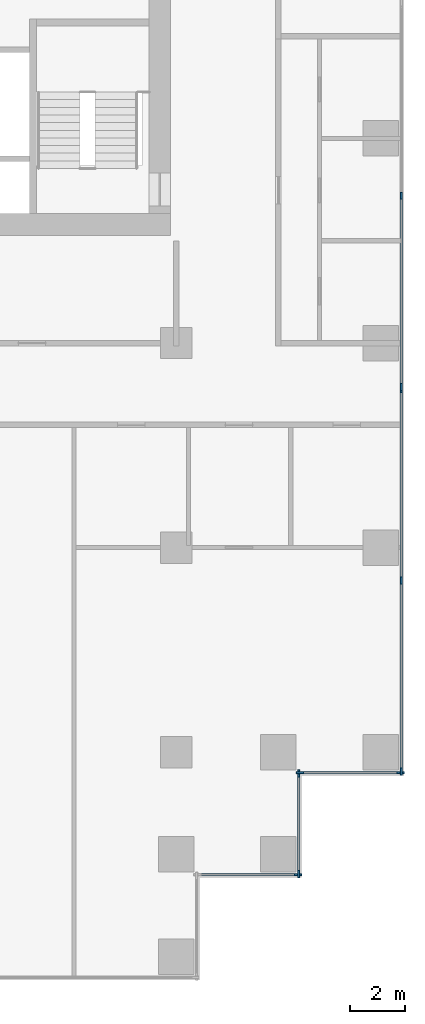
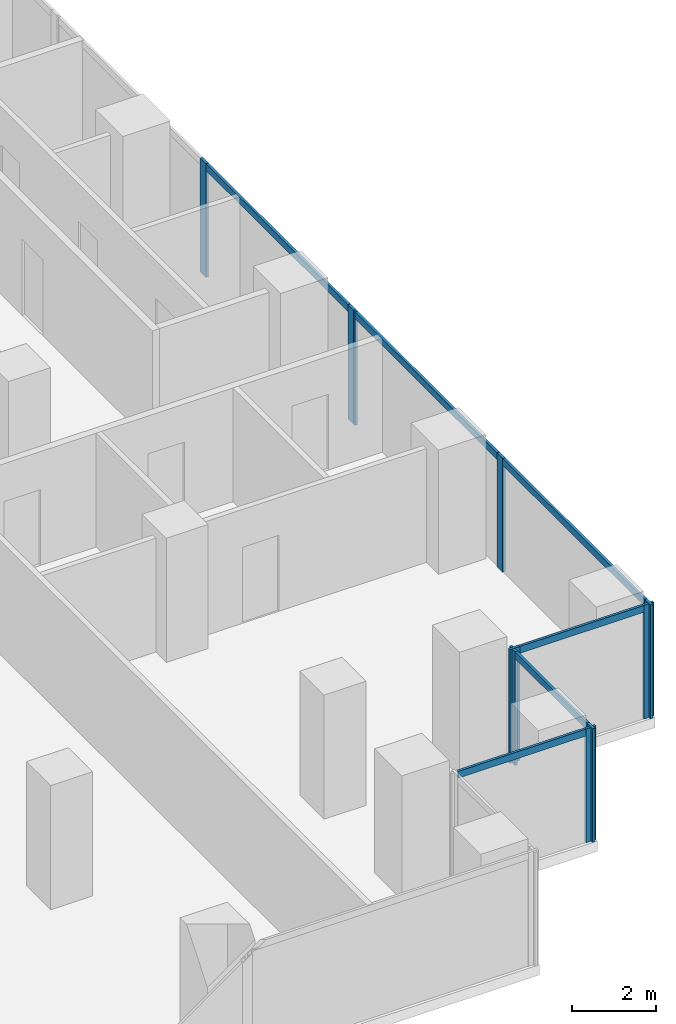
# One storey, part 3 of 10: 16 members, 5 elements without a shape of their own.
"""IFC4 building model written with IfcOpenShell, lengths in metres."""

from ifc_helpers import new_model, si_unit, direction, frame, origin, origin_2d, place, context, subcontext, project, spatial, rectangle, extrude, material, material_profile, profile_set, type_object, element, aggregate, save


model = new_model("IFC4")

# Units and contexts
model_context = context("Model", 3, precision=1e-05, world=origin(), true_north=direction((0.0, 1.0)))
body_context = subcontext(model_context, "Body", "Model", "MODEL_VIEW")
ifc_project = project(units=[si_unit("LENGTHUNIT", "METRE"), si_unit("AREAUNIT", "SQUARE_METRE"), si_unit("VOLUMEUNIT", "CUBIC_METRE"), si_unit("PLANEANGLEUNIT", "RADIAN"), si_unit("MASSUNIT", "GRAM", prefix="KILO")], contexts=[model_context])

# Site, building, storey
site_placement = place(None, origin())
site = spatial("IfcSite", under=ifc_project, at=site_placement, CompositionType="ELEMENT")
building_placement = place(site_placement, origin())
building = spatial("IfcBuilding", under=site, at=building_placement, Name="Pilkhan Gate Tower", CompositionType="ELEMENT")
storey_placement = place(building_placement, frame((0.0, 0.0, 118.0)))
storey = spatial("IfcBuildingStorey", under=building, at=storey_placement, Name="L29", CompositionType="ELEMENT", Elevation=118.0)

# Curtain wall, members
ifc_material_1 = material(Name="Pale anodised aluminium, clear low-iron double glazing", Category="aluminium")
curtain_wall_type = type_object("IfcCurtainWallType", Name="Office unitised curtain wall CW-O1", PredefinedType="USERDEFINED", material=ifc_material_1)
curtain_wall_1_placement = place(storey_placement, origin())
curtain_wall_1 = element("IfcCurtainWall", 1, at=curtain_wall_1_placement, inside=storey, type_object=curtain_wall_type, Name="Office unitised curtain wall CW-O1 L29 E", ObjectType="UNITISED CURTAIN WALL", PredefinedType="USERDEFINED")
ifc_material_2 = material(Name="Pale anodised aluminium", Category="aluminium")
ifc_material_profile_1 = material_profile(ifc_material_2, rectangle(XDim=0.070068359375, YDim=0.27490234375, at=origin_2d()), Name="Mullion 275x70")
ifc_profile_set_1 = profile_set([ifc_material_profile_1], Name="Pale anodised aluminium")
member_type_1 = type_object("IfcMemberType", Name="Mullion CW-O1 275x70", PredefinedType="MULLION", material=ifc_profile_set_1)
member_1_placement = place(storey_placement, frame((98.25, 51.784912109375, 0.0), z_axis=(0.0, 0.0, 1.0), x_axis=(-1.0, 0.0, 0.0)))
member_1 = element("IfcMember", 2, at=member_1_placement, type_object=member_type_1, Name="CW-O1 mullion 1", PredefinedType="MULLION", context=body_context, shape_type="SweptSolid", body=[
    extrude(rectangle(XDim=0.070068359375, YDim=0.27490234375, at=origin_2d()), origin(), (0.0, 0.0, 1.0), 3.300048828125),
])
member_2_placement = place(storey_placement, frame((98.25, 58.800048828125, 0.0), z_axis=(0.0, 0.0, 1.0), x_axis=(-1.0, 0.0, 0.0)))
member_2 = element("IfcMember", 3, at=member_2_placement, type_object=member_type_1, Name="CW-O1 mullion 2", PredefinedType="MULLION", context=body_context, shape_type="SweptSolid", body=[
    extrude(rectangle(XDim=0.070068359375, YDim=0.27490234375, at=origin_2d()), origin(), (0.0, 0.0, 1.0), 3.300048828125),
])
member_3_placement = place(storey_placement, frame((98.25, 65.81494140625, 0.0), z_axis=(0.0, 0.0, 1.0), x_axis=(-1.0, 0.0, 0.0)))
member_3 = element("IfcMember", 4, at=member_3_placement, type_object=member_type_1, Name="CW-O1 mullion 3", PredefinedType="MULLION", context=body_context, shape_type="SweptSolid", body=[
    extrude(rectangle(XDim=0.070068359375, YDim=0.27490234375, at=origin_2d()), origin(), (0.0, 0.0, 1.0), 3.300048828125),
])

curtain_wall_2_placement = place(storey_placement, origin())
curtain_wall_2 = element("IfcCurtainWall", 5, at=curtain_wall_2_placement, inside=storey, type_object=curtain_wall_type, Name="Office unitised curtain wall CW-O1 L29 E", ObjectType="UNITISED CURTAIN WALL", PredefinedType="USERDEFINED")
member_4_placement = place(storey_placement, frame((98.25, 65.885009765625, 0.0), z_axis=(0.0, 0.0, 1.0), x_axis=(-1.0, 0.0, 0.0)))
member_4 = element("IfcMember", 6, at=member_4_placement, type_object=member_type_1, Name="CW-O1 mullion 1", PredefinedType="MULLION", context=body_context, shape_type="SweptSolid", body=[
    extrude(rectangle(XDim=0.070068359375, YDim=0.27490234375, at=origin_2d()), origin(), (0.0, 0.0, 1.0), 3.300048828125),
])
member_5_placement = place(storey_placement, frame((98.25, 72.89990234375, 0.0), z_axis=(0.0, 0.0, 1.0), x_axis=(-1.0, 0.0, 0.0)))
member_5 = element("IfcMember", 7, at=member_5_placement, type_object=member_type_1, Name="CW-O1 mullion 2", PredefinedType="MULLION", context=body_context, shape_type="SweptSolid", body=[
    extrude(rectangle(XDim=0.070068359375, YDim=0.27490234375, at=origin_2d()), origin(), (0.0, 0.0, 1.0), 3.300048828125),
])

# Curtain wall, member
curtain_wall_3_placement = place(storey_placement, origin())
curtain_wall_3 = element("IfcCurtainWall", 8, at=curtain_wall_3_placement, inside=storey, type_object=curtain_wall_type, Name="Office unitised curtain wall CW-O1 L29 S", ObjectType="UNITISED CURTAIN WALL", PredefinedType="USERDEFINED")
member_6_placement = place(storey_placement, frame((94.465087890625, 48.0, 0.0), z_axis=(0.0, 0.0, 1.0), x_axis=(0.0, 1.0, 0.0)))
member_6 = element("IfcMember", 9, at=member_6_placement, type_object=member_type_1, Name="CW-O1 mullion 2", PredefinedType="MULLION", context=body_context, shape_type="SweptSolid", body=[
    extrude(rectangle(XDim=0.070068359375, YDim=0.27490234375, at=origin_2d()), origin(), (0.0, 0.0, 1.0), 3.300048828125),
])

# Curtain wall, members
curtain_wall_4_placement = place(storey_placement, origin())
curtain_wall_4 = element("IfcCurtainWall", 10, at=curtain_wall_4_placement, inside=storey, type_object=curtain_wall_type, Name="Office unitised curtain wall CW-O1 L29 E", ObjectType="UNITISED CURTAIN WALL", PredefinedType="USERDEFINED")
member_7_placement = place(storey_placement, frame((94.5, 48.034912109375, 0.0), z_axis=(0.0, 0.0, 1.0), x_axis=(-1.0, 0.0, 0.0)))
member_7 = element("IfcMember", 11, at=member_7_placement, type_object=member_type_1, Name="CW-O1 mullion 1", PredefinedType="MULLION", context=body_context, shape_type="SweptSolid", body=[
    extrude(rectangle(XDim=0.070068359375, YDim=0.27490234375, at=origin_2d()), origin(), (0.0, 0.0, 1.0), 3.300048828125),
])
member_8_placement = place(storey_placement, frame((94.5, 51.715087890625, 0.0), z_axis=(0.0, 0.0, 1.0), x_axis=(-1.0, 0.0, 0.0)))
member_8 = element("IfcMember", 12, at=member_8_placement, type_object=member_type_1, Name="CW-O1 mullion 2", PredefinedType="MULLION", context=body_context, shape_type="SweptSolid", body=[
    extrude(rectangle(XDim=0.070068359375, YDim=0.27490234375, at=origin_2d()), origin(), (0.0, 0.0, 1.0), 3.300048828125),
])

curtain_wall_5_placement = place(storey_placement, origin())
curtain_wall_5 = element("IfcCurtainWall", 13, at=curtain_wall_5_placement, inside=storey, type_object=curtain_wall_type, Name="Office unitised curtain wall CW-O1 L29 S", ObjectType="UNITISED CURTAIN WALL", PredefinedType="USERDEFINED")
member_9_placement = place(storey_placement, frame((94.534912109375, 51.75, 0.0), z_axis=(0.0, 0.0, 1.0), x_axis=(0.0, 1.0, 0.0)))
member_9 = element("IfcMember", 14, at=member_9_placement, type_object=member_type_1, Name="CW-O1 mullion 1", PredefinedType="MULLION", context=body_context, shape_type="SweptSolid", body=[
    extrude(rectangle(XDim=0.070068359375, YDim=0.27490234375, at=origin_2d()), origin(), (0.0, 0.0, 1.0), 3.300048828125),
])
member_10_placement = place(storey_placement, frame((98.215087890625, 51.75, 0.0), z_axis=(0.0, 0.0, 1.0), x_axis=(0.0, 1.0, 0.0)))
member_10 = element("IfcMember", 15, at=member_10_placement, type_object=member_type_1, Name="CW-O1 mullion 2", PredefinedType="MULLION", context=body_context, shape_type="SweptSolid", body=[
    extrude(rectangle(XDim=0.070068359375, YDim=0.27490234375, at=origin_2d()), origin(), (0.0, 0.0, 1.0), 3.300048828125),
])

# Member
ifc_material_profile_2 = material_profile(ifc_material_2, rectangle(XDim=0.070068359375, YDim=0.199951171875, at=origin_2d()), Name="Transom 200x70")
ifc_profile_set_2 = profile_set([ifc_material_profile_2], Name="Pale anodised aluminium")
member_type_2 = type_object("IfcMemberType", Name="Transom CW-O1 200x70", PredefinedType="USERDEFINED", material=ifc_profile_set_2)
member_11_placement = place(storey_placement, frame((98.25, 51.820068359375, 3.199951171875), z_axis=(0.0, 1.0, 0.0), x_axis=(-1.0, 0.0, 0.0)))
member_11 = element("IfcMember", 16, at=member_11_placement, type_object=member_type_2, Name="CW-O1 transom 1", ObjectType="TRANSOM", PredefinedType="USERDEFINED", context=body_context, shape_type="SweptSolid", body=[
    extrude(rectangle(XDim=0.070068359375, YDim=0.199951171875, at=origin_2d()), origin(), (0.0, 0.0, 1.0), 6.94482421875),
])

member_12_placement = place(storey_placement, frame((98.25, 58.8349609375, 3.199951171875), z_axis=(0.0, 1.0, 0.0), x_axis=(-1.0, 0.0, 0.0)))
member_12 = element("IfcMember", 17, at=member_12_placement, type_object=member_type_2, Name="CW-O1 transom 2", ObjectType="TRANSOM", PredefinedType="USERDEFINED", context=body_context, shape_type="SweptSolid", body=[
    extrude(rectangle(XDim=0.070068359375, YDim=0.199951171875, at=origin_2d()), origin(), (0.0, 0.0, 1.0), 6.945068359375),
])

aggregate(curtain_wall_1, [member_1, member_2, member_3, member_11, member_12])

member_13_placement = place(storey_placement, frame((98.25, 65.919921875, 3.199951171875), z_axis=(0.0, 1.0, 0.0), x_axis=(-1.0, 0.0, 0.0)))
member_13 = element("IfcMember", 18, at=member_13_placement, type_object=member_type_2, Name="CW-O1 transom 1", ObjectType="TRANSOM", PredefinedType="USERDEFINED", context=body_context, shape_type="SweptSolid", body=[
    extrude(rectangle(XDim=0.070068359375, YDim=0.199951171875, at=origin_2d()), origin(), (0.0, 0.0, 1.0), 6.945068359375),
])

aggregate(curtain_wall_2, [member_4, member_5, member_13])

member_14_placement = place(storey_placement, frame((90.820068359375, 48.0, 3.199951171875), z_axis=(1.0, 0.0, 0.0), x_axis=(0.0, 1.0, 0.0)))
member_14 = element("IfcMember", 19, at=member_14_placement, type_object=member_type_2, Name="CW-O1 transom 1", ObjectType="TRANSOM", PredefinedType="USERDEFINED", context=body_context, shape_type="SweptSolid", body=[
    extrude(rectangle(XDim=0.070068359375, YDim=0.199951171875, at=origin_2d()), origin(), (0.0, 0.0, 1.0), 3.60986328125),
])

aggregate(curtain_wall_3, [member_6, member_14])

member_15_placement = place(storey_placement, frame((94.5, 48.070068359375, 3.199951171875), z_axis=(0.0, 1.0, 0.0), x_axis=(-1.0, 0.0, 0.0)))
member_15 = element("IfcMember", 20, at=member_15_placement, type_object=member_type_2, Name="CW-O1 transom 1", ObjectType="TRANSOM", PredefinedType="USERDEFINED", context=body_context, shape_type="SweptSolid", body=[
    extrude(rectangle(XDim=0.070068359375, YDim=0.199951171875, at=origin_2d()), origin(), (0.0, 0.0, 1.0), 3.60986328125),
])

aggregate(curtain_wall_4, [member_7, member_8, member_15])

member_16_placement = place(storey_placement, frame((94.570068359375, 51.75, 3.199951171875), z_axis=(1.0, 0.0, 0.0), x_axis=(0.0, 1.0, 0.0)))
member_16 = element("IfcMember", 21, at=member_16_placement, type_object=member_type_2, Name="CW-O1 transom 1", ObjectType="TRANSOM", PredefinedType="USERDEFINED", context=body_context, shape_type="SweptSolid", body=[
    extrude(rectangle(XDim=0.070068359375, YDim=0.199951171875, at=origin_2d()), origin(), (0.0, 0.0, 1.0), 3.60986328125),
])

aggregate(curtain_wall_5, [member_9, member_10, member_16])

save(model, "model.ifc")
